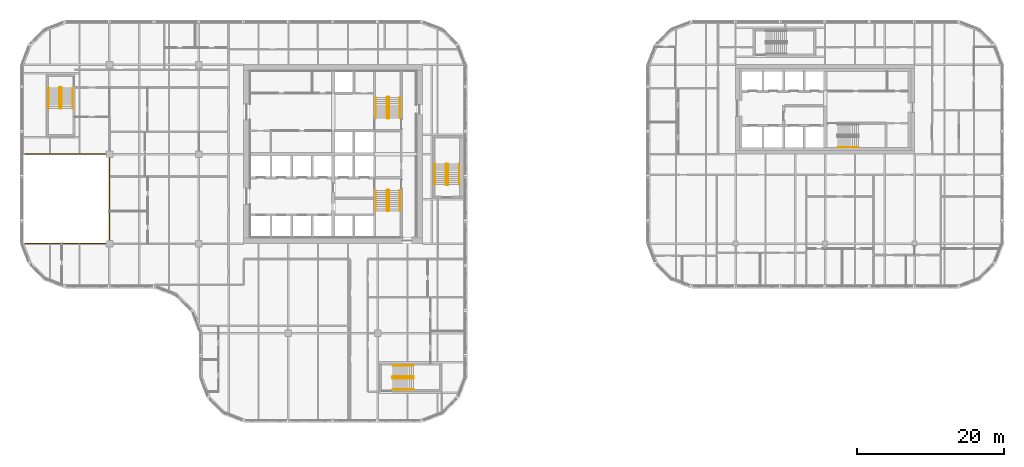
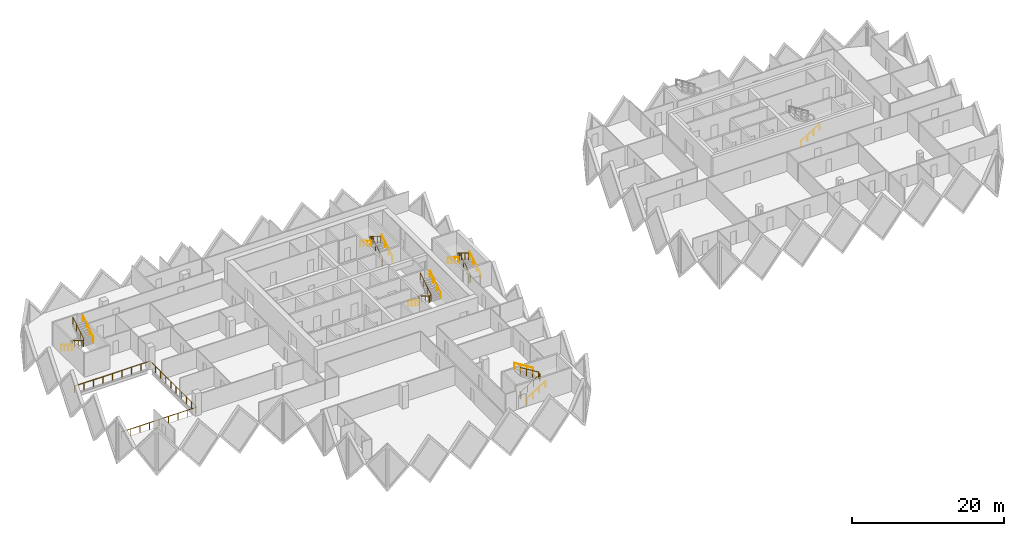
# One storey, part 18 of 19: 17 railings.
"""IFC4 building model written with IfcOpenShell, lengths in metres."""

from ifc_helpers import new_model, si_unit, direction, frame, origin, origin_2d, place, context, subcontext, project, spatial, circle, extrude, material, type_object, element, save


model = new_model("IFC4")

# Units and contexts
model_context = context("Model", 3, precision=1e-05, world=origin(), true_north=direction((0.0, 1.0)))
body_context = subcontext(model_context, "Body", "Model", "MODEL_VIEW")
ifc_project = project(units=[si_unit("LENGTHUNIT", "METRE"), si_unit("AREAUNIT", "SQUARE_METRE"), si_unit("VOLUMEUNIT", "CUBIC_METRE"), si_unit("PLANEANGLEUNIT", "RADIAN"), si_unit("MASSUNIT", "GRAM", prefix="KILO")], contexts=[model_context])

# Site, building, storey
site_placement = place(None, origin())
site = spatial("IfcSite", under=ifc_project, at=site_placement, CompositionType="ELEMENT")
building_placement = place(site_placement, origin())
building = spatial("IfcBuilding", under=site, at=building_placement, Name="Tessera Gate Towers", CompositionType="ELEMENT")
storey_placement = place(building_placement, frame((0.0, 0.0, 72.39990234375)))
storey = spatial("IfcBuildingStorey", under=building, at=storey_placement, Name="L17", CompositionType="ELEMENT", Elevation=72.39990234375)

# Railings
ifc_material_1 = material(Name="Toughened glass with stainless steel handrail", Category="steel")
railing_type_1 = type_object("IfcRailingType", Name="GUARD 1100 GLASS BALUSTRADE", PredefinedType="GUARDRAIL", material=ifc_material_1)
railing_1_placement = place(storey_placement, frame((0.750244140625, 24.39990234375, 0.0)))
element("IfcRailing", 1, at=railing_1_placement, inside=storey, type_object=railing_type_1, Name="Guard", PredefinedType="GUARDRAIL", context=body_context, shape_type="SweptSolid", body=[
    extrude(circle(Radius=0.02490234375, at=origin_2d()), frame((0.0, 0.0, 1.0751953125), z_axis=(1.0, 0.0, 0.0), x_axis=(0.0, 1.0, 0.0)), (0.0, 0.0, 1.0), 11.44970703125),
    extrude(circle(Radius=0.02490234375, at=origin_2d()), frame((11.44970703125, 0.0, 1.0751953125), z_axis=(0.0, 1.0, 0.0), x_axis=(-1.0, 0.0, 0.0)), (0.0, 0.0, 1.0), 12.2001953125),
    extrude(circle(Radius=0.02490234375, at=origin_2d()), frame((11.44970703125, 12.2001953125, 1.0751953125), z_axis=(-1.0, 0.0, 0.0), x_axis=(0.0, -1.0, 0.0)), (0.0, 0.0, 1.0), 11.5),
    extrude(circle(Radius=0.02490234375, at=origin_2d()), origin(), (0.0, 0.0, 1.0), 1.050048828125),
    extrude(circle(Radius=0.02490234375, at=origin_2d()), frame((1.43115234375, 0.0, 0.0)), (0.0, 0.0, 1.0), 1.050048828125),
    extrude(circle(Radius=0.02490234375, at=origin_2d()), frame((2.8623046875, 0.0, 0.0)), (0.0, 0.0, 1.0), 1.050048828125),
    extrude(circle(Radius=0.02490234375, at=origin_2d()), frame((4.293701171875, 0.0, 0.0)), (0.0, 0.0, 1.0), 1.050048828125),
    extrude(circle(Radius=0.02490234375, at=origin_2d()), frame((5.724853515625, 0.0, 0.0)), (0.0, 0.0, 1.0), 1.050048828125),
    extrude(circle(Radius=0.02490234375, at=origin_2d()), frame((7.156005859375, 0.0, 0.0)), (0.0, 0.0, 1.0), 1.050048828125),
    extrude(circle(Radius=0.02490234375, at=origin_2d()), frame((8.58740234375, 0.0, 0.0)), (0.0, 0.0, 1.0), 1.050048828125),
    extrude(circle(Radius=0.02490234375, at=origin_2d()), frame((10.0185546875, 0.0, 0.0)), (0.0, 0.0, 1.0), 1.050048828125),
    extrude(circle(Radius=0.02490234375, at=origin_2d()), frame((11.44970703125, 0.0, 0.0)), (0.0, 0.0, 1.0), 1.050048828125),
    extrude(circle(Radius=0.02490234375, at=origin_2d()), frame((11.44970703125, 1.35546875, 0.0)), (0.0, 0.0, 1.0), 1.050048828125),
    extrude(circle(Radius=0.02490234375, at=origin_2d()), frame((11.44970703125, 2.711181640625, 0.0)), (0.0, 0.0, 1.0), 1.050048828125),
    extrude(circle(Radius=0.02490234375, at=origin_2d()), frame((11.44970703125, 4.066650390625, 0.0)), (0.0, 0.0, 1.0), 1.050048828125),
    extrude(circle(Radius=0.02490234375, at=origin_2d()), frame((11.44970703125, 5.42236328125, 0.0)), (0.0, 0.0, 1.0), 1.050048828125),
    extrude(circle(Radius=0.02490234375, at=origin_2d()), frame((11.44970703125, 6.77783203125, 0.0)), (0.0, 0.0, 1.0), 1.050048828125),
    extrude(circle(Radius=0.02490234375, at=origin_2d()), frame((11.44970703125, 8.133544921875, 0.0)), (0.0, 0.0, 1.0), 1.050048828125),
    extrude(circle(Radius=0.02490234375, at=origin_2d()), frame((11.44970703125, 9.489013671875, 0.0)), (0.0, 0.0, 1.0), 1.050048828125),
    extrude(circle(Radius=0.02490234375, at=origin_2d()), frame((11.44970703125, 10.8447265625, 0.0)), (0.0, 0.0, 1.0), 1.050048828125),
    extrude(circle(Radius=0.02490234375, at=origin_2d()), frame((11.44970703125, 12.2001953125, 0.0)), (0.0, 0.0, 1.0), 1.050048828125),
    extrude(circle(Radius=0.02490234375, at=origin_2d()), frame((10.01220703125, 12.2001953125, 0.0)), (0.0, 0.0, 1.0), 1.050048828125),
    extrude(circle(Radius=0.02490234375, at=origin_2d()), frame((8.57470703125, 12.2001953125, 0.0)), (0.0, 0.0, 1.0), 1.050048828125),
    extrude(circle(Radius=0.02490234375, at=origin_2d()), frame((7.13720703125, 12.2001953125, 0.0)), (0.0, 0.0, 1.0), 1.050048828125),
    extrude(circle(Radius=0.02490234375, at=origin_2d()), frame((5.69970703125, 12.2001953125, 0.0)), (0.0, 0.0, 1.0), 1.050048828125),
    extrude(circle(Radius=0.02490234375, at=origin_2d()), frame((4.26220703125, 12.2001953125, 0.0)), (0.0, 0.0, 1.0), 1.050048828125),
    extrude(circle(Radius=0.02490234375, at=origin_2d()), frame((2.82470703125, 12.2001953125, 0.0)), (0.0, 0.0, 1.0), 1.050048828125),
    extrude(circle(Radius=0.02490234375, at=origin_2d()), frame((1.38720703125, 12.2001953125, 0.0)), (0.0, 0.0, 1.0), 1.050048828125),
    extrude(circle(Radius=0.02490234375, at=origin_2d()), frame((-0.05029296875, 12.2001953125, 0.0)), (0.0, 0.0, 1.0), 1.050048828125),
])
ifc_material_2 = material(Name="Steel 350W", Category="steel")
railing_type_2 = type_object("IfcRailingType", Name="STAIR GUARD 1100", PredefinedType="GUARDRAIL", material=ifc_material_2)
railing_2_placement = place(storey_placement, frame((50.27490234375, 31.72509765625, 0.0)))
element("IfcRailing", 2, at=railing_2_placement, inside=storey, type_object=railing_type_2, Name="L17 ST1 stair guard 1", PredefinedType="GUARDRAIL", context=body_context, shape_type="SweptSolid", body=[
    extrude(circle(Radius=0.02392578125, at=origin_2d()), frame((0.0, 0.0, 1.076171875), z_axis=(-1.0, 0.0, 0.0), x_axis=(0.0, -1.0, 0.0)), (0.0, 0.0, 1.0), 0.199951171875),
    extrude(circle(Radius=0.02392578125, at=origin_2d()), frame((-0.199951171875, 0.0, 1.076171875), z_axis=(-0.267953482034, -0.267953482034, 0.925419830635), x_axis=(0.707106781187, -0.707106781187, 0.0)), (0.0, 0.0, 1.0), 0.186767578125),
    extrude(circle(Radius=0.02392578125, at=origin_2d()), frame((-0.25, -0.050048828125, 1.2490234375), z_axis=(0.0, -0.851089632645, 0.525020415988), x_axis=(1.0, 0.0, 0.0)), (0.0, 0.0, 1.0), 3.2900390625),
    extrude(circle(Radius=0.02392578125, at=origin_2d()), frame((-0.25, -2.85009765625, 2.97607421875), z_axis=(0.707106781187, -0.707106781187, 0.0), x_axis=(0.707106781187, 0.707106781187, 0.0)), (0.0, 0.0, 1.0), 0.07080078125),
    extrude(circle(Radius=0.02392578125, at=origin_2d()), frame((-0.199951171875, -2.900146484375, 2.97607421875), z_axis=(1.0, 0.0, 0.0), x_axis=(0.0, 1.0, 0.0)), (0.0, 0.0, 1.0), 0.199951171875),
    extrude(circle(Radius=0.02392578125, at=origin_2d()), frame((0.0, -2.900146484375, 2.97607421875), z_axis=(0.268277960024, 0.268277960024, 0.925231793839), x_axis=(-0.707106781187, 0.707106781187, 0.0)), (0.0, 0.0, 1.0), 0.1865234375),
    extrude(circle(Radius=0.02392578125, at=origin_2d()), frame((0.050048828125, -2.85009765625, 3.14892578125), z_axis=(0.0, 0.851089632645, 0.525020415988), x_axis=(-1.0, 0.0, 0.0)), (0.0, 0.0, 1.0), 3.2900390625),
    extrude(circle(Radius=0.02099609375, at=origin_2d()), origin(), (0.0, 0.0, 1.0), 1.052001953125),
    extrude(circle(Radius=0.02099609375, at=origin_2d()), frame((-0.199951171875, 0.0, 0.0)), (0.0, 0.0, 1.0), 1.052001953125),
    extrude(circle(Radius=0.02099609375, at=origin_2d()), frame((-0.25, -0.050048828125, 0.1728515625)), (0.0, 0.0, 1.0), 1.052001953125),
    extrude(circle(Radius=0.02099609375, at=origin_2d()), frame((-0.25, -0.9833984375, 0.74853515625)), (0.0, 0.0, 1.0), 1.052001953125),
    extrude(circle(Radius=0.02099609375, at=origin_2d()), frame((-0.25, -1.916748046875, 1.324462890625)), (0.0, 0.0, 1.0), 1.052001953125),
    extrude(circle(Radius=0.02099609375, at=origin_2d()), frame((-0.25, -2.85009765625, 1.900146484375)), (0.0, 0.0, 1.0), 1.052001953125),
    extrude(circle(Radius=0.02099609375, at=origin_2d()), frame((-0.199951171875, -2.900146484375, 1.900146484375)), (0.0, 0.0, 1.0), 1.052001953125),
    extrude(circle(Radius=0.02099609375, at=origin_2d()), frame((0.0, -2.900146484375, 1.900146484375)), (0.0, 0.0, 1.0), 1.052001953125),
    extrude(circle(Radius=0.02099609375, at=origin_2d()), frame((0.050048828125, -2.85009765625, 2.07275390625)), (0.0, 0.0, 1.0), 1.052001953125),
    extrude(circle(Radius=0.02099609375, at=origin_2d()), frame((0.050048828125, -1.916748046875, 2.6484375)), (0.0, 0.0, 1.0), 1.052001953125),
    extrude(circle(Radius=0.02099609375, at=origin_2d()), frame((0.050048828125, -0.9833984375, 3.224365234375)), (0.0, 0.0, 1.0), 1.052001953125),
    extrude(circle(Radius=0.02099609375, at=origin_2d()), frame((0.050048828125, -0.050048828125, 3.800048828125)), (0.0, 0.0, 1.0), 1.052001953125),
])
railing_3_placement = place(storey_placement, frame((50.074951171875, 41.47509765625, 0.0)))
element("IfcRailing", 3, at=railing_3_placement, inside=storey, type_object=railing_type_2, Name="L17 ST2 stair guard 1", PredefinedType="GUARDRAIL", context=body_context, shape_type="SweptSolid", body=[
    extrude(circle(Radius=0.02392578125, at=origin_2d()), frame((0.0, 0.0, 1.076171875), z_axis=(1.0, 0.0, 0.0), x_axis=(0.0, 1.0, 0.0)), (0.0, 0.0, 1.0), 0.199951171875),
    extrude(circle(Radius=0.02392578125, at=origin_2d()), frame((0.199951171875, 0.0, 1.076171875), z_axis=(0.268047150085, 0.266739603011, 0.925743328097), x_axis=(-0.705375805398, 0.708833529934, 0.0)), (0.0, 0.0, 1.0), 0.186767578125),
    extrude(circle(Radius=0.02392578125, at=origin_2d()), frame((0.25, 0.0498046875, 1.2490234375), z_axis=(0.0, 0.851089632645, 0.525020415988), x_axis=(-1.0, 0.0, 0.0)), (0.0, 0.0, 1.0), 3.2900390625),
    extrude(circle(Radius=0.02392578125, at=origin_2d()), frame((0.25, 2.849853515625, 2.97607421875), z_axis=(-0.707106781187, 0.707106781187, 0.0), x_axis=(-0.707106781187, -0.707106781187, 0.0)), (0.0, 0.0, 1.0), 0.07080078125),
    extrude(circle(Radius=0.02392578125, at=origin_2d()), frame((0.199951171875, 2.89990234375, 2.97607421875), z_axis=(-1.0, 0.0, 0.0), x_axis=(0.0, -1.0, 0.0)), (0.0, 0.0, 1.0), 0.199951171875),
    extrude(circle(Radius=0.02392578125, at=origin_2d()), frame((0.0, 2.89990234375, 2.97607421875), z_axis=(-0.268277960024, -0.268277960024, 0.925231793839), x_axis=(0.707106781187, -0.707106781187, 0.0)), (0.0, 0.0, 1.0), 0.1865234375),
    extrude(circle(Radius=0.02392578125, at=origin_2d()), frame((-0.050048828125, 2.849853515625, 3.14892578125), z_axis=(0.0, -0.851089632645, 0.525020415988), x_axis=(1.0, 0.0, 0.0)), (0.0, 0.0, 1.0), 3.2900390625),
    extrude(circle(Radius=0.02099609375, at=origin_2d()), origin(), (0.0, 0.0, 1.0), 1.052001953125),
    extrude(circle(Radius=0.02099609375, at=origin_2d()), frame((0.199951171875, 0.0, 0.0)), (0.0, 0.0, 1.0), 1.052001953125),
    extrude(circle(Radius=0.02099609375, at=origin_2d()), frame((0.25, 0.0498046875, 0.1728515625)), (0.0, 0.0, 1.0), 1.052001953125),
    extrude(circle(Radius=0.02099609375, at=origin_2d()), frame((0.25, 0.983154296875, 0.74853515625)), (0.0, 0.0, 1.0), 1.052001953125),
    extrude(circle(Radius=0.02099609375, at=origin_2d()), frame((0.25, 1.91650390625, 1.324462890625)), (0.0, 0.0, 1.0), 1.052001953125),
    extrude(circle(Radius=0.02099609375, at=origin_2d()), frame((0.25, 2.849853515625, 1.900146484375)), (0.0, 0.0, 1.0), 1.052001953125),
    extrude(circle(Radius=0.02099609375, at=origin_2d()), frame((0.199951171875, 2.89990234375, 1.900146484375)), (0.0, 0.0, 1.0), 1.052001953125),
    extrude(circle(Radius=0.02099609375, at=origin_2d()), frame((0.0, 2.89990234375, 1.900146484375)), (0.0, 0.0, 1.0), 1.052001953125),
    extrude(circle(Radius=0.02099609375, at=origin_2d()), frame((-0.050048828125, 2.849853515625, 2.07275390625)), (0.0, 0.0, 1.0), 1.052001953125),
    extrude(circle(Radius=0.02099609375, at=origin_2d()), frame((-0.050048828125, 1.91650390625, 2.6484375)), (0.0, 0.0, 1.0), 1.052001953125),
    extrude(circle(Radius=0.02099609375, at=origin_2d()), frame((-0.050048828125, 0.983154296875, 3.224365234375)), (0.0, 0.0, 1.0), 1.052001953125),
    extrude(circle(Radius=0.02099609375, at=origin_2d()), frame((-0.050048828125, 0.0498046875, 3.800048828125)), (0.0, 0.0, 1.0), 1.052001953125),
])
railing_4_placement = place(storey_placement, frame((5.64990234375, 45.699951171875, 0.0)))
element("IfcRailing", 4, at=railing_4_placement, inside=storey, type_object=railing_type_2, Name="L17 ST3 stair guard 1", PredefinedType="GUARDRAIL", context=body_context, shape_type="SweptSolid", body=[
    extrude(circle(Radius=0.02392578125, at=origin_2d()), frame((0.0, 0.0, 1.076171875), z_axis=(-1.0, 0.0, 0.0), x_axis=(0.0, -1.0, 0.0)), (0.0, 0.0, 1.0), 0.199951171875),
    extrude(circle(Radius=0.02392578125, at=origin_2d()), frame((-0.199951171875, 0.0, 1.076171875), z_axis=(-0.267953482034, -0.267953482034, 0.925419830635), x_axis=(0.707106781187, -0.707106781187, 0.0)), (0.0, 0.0, 1.0), 0.186767578125),
    extrude(circle(Radius=0.02392578125, at=origin_2d()), frame((-0.25, -0.050048828125, 1.2490234375), z_axis=(0.0, -0.851069175582, 0.525053576669), x_axis=(1.0, 0.0, 0.0)), (0.0, 0.0, 1.0), 3.289794921875),
    extrude(circle(Radius=0.02392578125, at=origin_2d()), frame((-0.25, -2.849853515625, 2.97607421875), z_axis=(0.707106781187, -0.707106781187, 0.0), x_axis=(0.707106781187, 0.707106781187, 0.0)), (0.0, 0.0, 1.0), 0.07080078125),
    extrude(circle(Radius=0.02392578125, at=origin_2d()), frame((-0.199951171875, -2.89990234375, 2.97607421875), z_axis=(1.0, 0.0, 0.0), x_axis=(0.0, 1.0, 0.0)), (0.0, 0.0, 1.0), 0.199951171875),
    extrude(circle(Radius=0.02392578125, at=origin_2d()), frame((0.0, -2.89990234375, 2.97607421875), z_axis=(0.268277960024, 0.268277960024, 0.925231793839), x_axis=(-0.707106781187, 0.707106781187, 0.0)), (0.0, 0.0, 1.0), 0.1865234375),
    extrude(circle(Radius=0.02392578125, at=origin_2d()), frame((0.050048828125, -2.849853515625, 3.14892578125), z_axis=(0.0, 0.851069175582, 0.525053576669), x_axis=(-1.0, 0.0, 0.0)), (0.0, 0.0, 1.0), 3.289794921875),
    extrude(circle(Radius=0.02099609375, at=origin_2d()), origin(), (0.0, 0.0, 1.0), 1.052001953125),
    extrude(circle(Radius=0.02099609375, at=origin_2d()), frame((-0.199951171875, 0.0, 0.0)), (0.0, 0.0, 1.0), 1.052001953125),
    extrude(circle(Radius=0.02099609375, at=origin_2d()), frame((-0.25, -0.050048828125, 0.1728515625)), (0.0, 0.0, 1.0), 1.052001953125),
    extrude(circle(Radius=0.02099609375, at=origin_2d()), frame((-0.25, -0.9833984375, 0.74853515625)), (0.0, 0.0, 1.0), 1.052001953125),
    extrude(circle(Radius=0.02099609375, at=origin_2d()), frame((-0.25, -1.91650390625, 1.324462890625)), (0.0, 0.0, 1.0), 1.052001953125),
    extrude(circle(Radius=0.02099609375, at=origin_2d()), frame((-0.25, -2.849853515625, 1.900146484375)), (0.0, 0.0, 1.0), 1.052001953125),
    extrude(circle(Radius=0.02099609375, at=origin_2d()), frame((-0.199951171875, -2.89990234375, 1.900146484375)), (0.0, 0.0, 1.0), 1.052001953125),
    extrude(circle(Radius=0.02099609375, at=origin_2d()), frame((0.0, -2.89990234375, 1.900146484375)), (0.0, 0.0, 1.0), 1.052001953125),
    extrude(circle(Radius=0.02099609375, at=origin_2d()), frame((0.050048828125, -2.849853515625, 2.07275390625)), (0.0, 0.0, 1.0), 1.052001953125),
    extrude(circle(Radius=0.02099609375, at=origin_2d()), frame((0.050048828125, -1.91650390625, 2.6484375)), (0.0, 0.0, 1.0), 1.052001953125),
    extrude(circle(Radius=0.02099609375, at=origin_2d()), frame((0.050048828125, -0.9833984375, 3.224365234375)), (0.0, 0.0, 1.0), 1.052001953125),
    extrude(circle(Radius=0.02099609375, at=origin_2d()), frame((0.050048828125, -0.050048828125, 3.800048828125)), (0.0, 0.0, 1.0), 1.052001953125),
])
railing_5_placement = place(storey_placement, frame((50.800048828125, 6.25, 0.0)))
element("IfcRailing", 5, at=railing_5_placement, inside=storey, type_object=railing_type_2, Name="L17 ST4 stair guard 1", PredefinedType="GUARDRAIL", context=body_context, shape_type="SweptSolid", body=[
    extrude(circle(Radius=0.02392578125, at=origin_2d()), frame((0.0, 0.0, 1.076171875), z_axis=(0.0, -1.0, 0.0), x_axis=(1.0, 0.0, 0.0)), (0.0, 0.0, 1.0), 0.199951171875),
    extrude(circle(Radius=0.02392578125, at=origin_2d()), frame((0.0, -0.199951171875, 1.076171875), z_axis=(0.267953482034, -0.267953482034, 0.925419830635), x_axis=(0.707106781187, 0.707106781187, 0.0)), (0.0, 0.0, 1.0), 0.186767578125),
    extrude(circle(Radius=0.02392578125, at=origin_2d()), frame((0.050048828125, -0.25, 1.2490234375), z_axis=(0.851069175582, 0.0, 0.525053576669), x_axis=(0.0, 1.0, 0.0)), (0.0, 0.0, 1.0), 3.289794921875),
    extrude(circle(Radius=0.02392578125, at=origin_2d()), frame((2.849853515625, -0.25, 2.97607421875), z_axis=(0.707106781187, 0.707106781187, 0.0), x_axis=(-0.707106781187, 0.707106781187, 0.0)), (0.0, 0.0, 1.0), 0.07080078125),
    extrude(circle(Radius=0.02392578125, at=origin_2d()), frame((2.89990234375, -0.199951171875, 2.97607421875), z_axis=(0.0, 1.0, 0.0), x_axis=(-1.0, 0.0, 0.0)), (0.0, 0.0, 1.0), 0.199951171875),
    extrude(circle(Radius=0.02392578125, at=origin_2d()), frame((2.89990234375, 0.0, 2.97607421875), z_axis=(-0.268277960024, 0.268277960024, 0.925231793839), x_axis=(-0.707106781187, -0.707106781187, 0.0)), (0.0, 0.0, 1.0), 0.1865234375),
    extrude(circle(Radius=0.02392578125, at=origin_2d()), frame((2.849853515625, 0.050048828125, 3.14892578125), z_axis=(-0.851069175582, 0.0, 0.525053576669), x_axis=(0.0, -1.0, 0.0)), (0.0, 0.0, 1.0), 3.289794921875),
    extrude(circle(Radius=0.02099609375, at=origin_2d()), origin(), (0.0, 0.0, 1.0), 1.052001953125),
    extrude(circle(Radius=0.02099609375, at=origin_2d()), frame((0.0, -0.199951171875, 0.0)), (0.0, 0.0, 1.0), 1.052001953125),
    extrude(circle(Radius=0.02099609375, at=origin_2d()), frame((0.050048828125, -0.25, 0.1728515625)), (0.0, 0.0, 1.0), 1.052001953125),
    extrude(circle(Radius=0.02099609375, at=origin_2d()), frame((0.9833984375, -0.25, 0.74853515625)), (0.0, 0.0, 1.0), 1.052001953125),
    extrude(circle(Radius=0.02099609375, at=origin_2d()), frame((1.91650390625, -0.25, 1.324462890625)), (0.0, 0.0, 1.0), 1.052001953125),
    extrude(circle(Radius=0.02099609375, at=origin_2d()), frame((2.849853515625, -0.25, 1.900146484375)), (0.0, 0.0, 1.0), 1.052001953125),
    extrude(circle(Radius=0.02099609375, at=origin_2d()), frame((2.89990234375, -0.199951171875, 1.900146484375)), (0.0, 0.0, 1.0), 1.052001953125),
    extrude(circle(Radius=0.02099609375, at=origin_2d()), frame((2.89990234375, 0.0, 1.900146484375)), (0.0, 0.0, 1.0), 1.052001953125),
    extrude(circle(Radius=0.02099609375, at=origin_2d()), frame((2.849853515625, 0.050048828125, 2.07275390625)), (0.0, 0.0, 1.0), 1.052001953125),
    extrude(circle(Radius=0.02099609375, at=origin_2d()), frame((1.91650390625, 0.050048828125, 2.6484375)), (0.0, 0.0, 1.0), 1.052001953125),
    extrude(circle(Radius=0.02099609375, at=origin_2d()), frame((0.9833984375, 0.050048828125, 3.224365234375)), (0.0, 0.0, 1.0), 1.052001953125),
    extrude(circle(Radius=0.02099609375, at=origin_2d()), frame((0.050048828125, 0.050048828125, 3.800048828125)), (0.0, 0.0, 1.0), 1.052001953125),
])
railing_6_placement = place(storey_placement, frame((58.14990234375, 32.39990234375, 0.0)))
element("IfcRailing", 6, at=railing_6_placement, inside=storey, type_object=railing_type_2, Name="L17 ST5 stair guard 1", PredefinedType="GUARDRAIL", context=body_context, shape_type="SweptSolid", body=[
    extrude(circle(Radius=0.02392578125, at=origin_2d()), frame((0.0, 0.0, 1.076171875), z_axis=(1.0, 0.0, 0.0), x_axis=(0.0, 1.0, 0.0)), (0.0, 0.0, 1.0), 0.2001953125),
    extrude(circle(Radius=0.02392578125, at=origin_2d()), frame((0.2001953125, 0.0, 1.076171875), z_axis=(0.266739603011, 0.268047150085, 0.925743328097), x_axis=(-0.708833529934, 0.705375805398, 0.0)), (0.0, 0.0, 1.0), 0.186767578125),
    extrude(circle(Radius=0.02392578125, at=origin_2d()), frame((0.25, 0.050048828125, 1.2490234375), z_axis=(0.0, 0.851089632645, 0.525020415988), x_axis=(-1.0, 0.0, 0.0)), (0.0, 0.0, 1.0), 3.2900390625),
    extrude(circle(Radius=0.02392578125, at=origin_2d()), frame((0.25, 2.85009765625, 2.97607421875), z_axis=(-0.705375805398, 0.708833529934, 0.0), x_axis=(-0.708833529934, -0.705375805398, 0.0)), (0.0, 0.0, 1.0), 0.070556640625),
    extrude(circle(Radius=0.02392578125, at=origin_2d()), frame((0.2001953125, 2.900146484375, 2.97607421875), z_axis=(-1.0, 0.0, 0.0), x_axis=(0.0, -1.0, 0.0)), (0.0, 0.0, 1.0), 0.2001953125),
    extrude(circle(Radius=0.02392578125, at=origin_2d()), frame((0.0, 2.900146484375, 2.97607421875), z_axis=(-0.267062837333, -0.268371968888, 0.925556009775), x_axis=(0.708833529934, -0.705375805398, 0.0)), (0.0, 0.0, 1.0), 0.1865234375),
    extrude(circle(Radius=0.02392578125, at=origin_2d()), frame((-0.0498046875, 2.85009765625, 3.14892578125), z_axis=(0.0, -0.851089632645, 0.525020415988), x_axis=(1.0, 0.0, 0.0)), (0.0, 0.0, 1.0), 3.2900390625),
    extrude(circle(Radius=0.02099609375, at=origin_2d()), origin(), (0.0, 0.0, 1.0), 1.052001953125),
    extrude(circle(Radius=0.02099609375, at=origin_2d()), frame((0.2001953125, 0.0, 0.0)), (0.0, 0.0, 1.0), 1.052001953125),
    extrude(circle(Radius=0.02099609375, at=origin_2d()), frame((0.25, 0.050048828125, 0.1728515625)), (0.0, 0.0, 1.0), 1.052001953125),
    extrude(circle(Radius=0.02099609375, at=origin_2d()), frame((0.25, 0.9833984375, 0.74853515625)), (0.0, 0.0, 1.0), 1.052001953125),
    extrude(circle(Radius=0.02099609375, at=origin_2d()), frame((0.25, 1.916748046875, 1.324462890625)), (0.0, 0.0, 1.0), 1.052001953125),
    extrude(circle(Radius=0.02099609375, at=origin_2d()), frame((0.25, 2.85009765625, 1.900146484375)), (0.0, 0.0, 1.0), 1.052001953125),
    extrude(circle(Radius=0.02099609375, at=origin_2d()), frame((0.2001953125, 2.900146484375, 1.900146484375)), (0.0, 0.0, 1.0), 1.052001953125),
    extrude(circle(Radius=0.02099609375, at=origin_2d()), frame((0.0, 2.900146484375, 1.900146484375)), (0.0, 0.0, 1.0), 1.052001953125),
    extrude(circle(Radius=0.02099609375, at=origin_2d()), frame((-0.0498046875, 2.85009765625, 2.07275390625)), (0.0, 0.0, 1.0), 1.052001953125),
    extrude(circle(Radius=0.02099609375, at=origin_2d()), frame((-0.0498046875, 1.916748046875, 2.6484375)), (0.0, 0.0, 1.0), 1.052001953125),
    extrude(circle(Radius=0.02099609375, at=origin_2d()), frame((-0.0498046875, 0.9833984375, 3.224365234375)), (0.0, 0.0, 1.0), 1.052001953125),
    extrude(circle(Radius=0.02099609375, at=origin_2d()), frame((-0.0498046875, 0.050048828125, 3.800048828125)), (0.0, 0.0, 1.0), 1.052001953125),
])
ifc_material_3 = material(Name="Steel 350W", Category="steel")
railing_type_3 = type_object("IfcRailingType", Name="STAIR HANDRAIL 900", PredefinedType="HANDRAIL", material=ifc_material_3)
railing_7_placement = place(storey_placement, frame((48.52490234375, 31.675048828125, 0.1728515625)))
element("IfcRailing", 7, at=railing_7_placement, inside=storey, type_object=railing_type_3, Name="L17 ST1 stair handrail 1", PredefinedType="HANDRAIL", context=body_context, shape_type="SweptSolid", body=[
    extrude(circle(Radius=0.02392578125, at=origin_2d()), frame((0.0, 0.0, 0.8759765625), z_axis=(0.0, -0.851089632645, 0.525020415988), x_axis=(1.0, 0.0, 0.0)), (0.0, 0.0, 1.0), 3.2900390625),
    extrude(circle(Radius=0.02099609375, at=origin_2d()), origin(), (0.0, 0.0, 1.0), 0.851806640625),
    extrude(circle(Radius=0.02099609375, at=origin_2d()), frame((0.0, -0.933349609375, 0.57568359375)), (0.0, 0.0, 1.0), 0.851806640625),
    extrude(circle(Radius=0.02099609375, at=origin_2d()), frame((0.0, -1.86669921875, 1.151611328125)), (0.0, 0.0, 1.0), 0.851806640625),
    extrude(circle(Radius=0.02099609375, at=origin_2d()), frame((0.0, -2.800048828125, 1.727294921875)), (0.0, 0.0, 1.0), 0.851806640625),
])
for number, where, name in (
    (8, (51.824951171875, 28.875, 2.07275390625), "L17 ST1 stair handrail 2"),
    (9, (51.824951171875, 41.52490234375, 0.1728515625), "L17 ST2 stair handrail 1"),
):
    element("IfcRailing", number, at=place(storey_placement, frame(where)), inside=storey, type_object=railing_type_3, Name=name, PredefinedType="HANDRAIL", context=body_context, shape_type="SweptSolid", body=[
        extrude(circle(Radius=0.02392578125, at=origin_2d()), frame((0.0, 0.0, 0.8759765625), z_axis=(0.0, 0.851089632645, 0.525020415988), x_axis=(-1.0, 0.0, 0.0)), (0.0, 0.0, 1.0), 3.2900390625),
        extrude(circle(Radius=0.02099609375, at=origin_2d()), origin(), (0.0, 0.0, 1.0), 0.851806640625),
        extrude(circle(Radius=0.02099609375, at=origin_2d()), frame((0.0, 0.933349609375, 0.57568359375)), (0.0, 0.0, 1.0), 0.851806640625),
        extrude(circle(Radius=0.02099609375, at=origin_2d()), frame((0.0, 1.86669921875, 1.151611328125)), (0.0, 0.0, 1.0), 0.851806640625),
        extrude(circle(Radius=0.02099609375, at=origin_2d()), frame((0.0, 2.800048828125, 1.727294921875)), (0.0, 0.0, 1.0), 0.851806640625),
    ])
railing_8_placement = place(storey_placement, frame((48.52490234375, 44.324951171875, 2.07275390625)))
element("IfcRailing", 10, at=railing_8_placement, inside=storey, type_object=railing_type_3, Name="L17 ST2 stair handrail 2", PredefinedType="HANDRAIL", context=body_context, shape_type="SweptSolid", body=[
    extrude(circle(Radius=0.02392578125, at=origin_2d()), frame((0.0, 0.0, 0.8759765625), z_axis=(0.0, -0.851089632645, 0.525020415988), x_axis=(1.0, 0.0, 0.0)), (0.0, 0.0, 1.0), 3.2900390625),
    extrude(circle(Radius=0.02099609375, at=origin_2d()), origin(), (0.0, 0.0, 1.0), 0.851806640625),
    extrude(circle(Radius=0.02099609375, at=origin_2d()), frame((0.0, -0.933349609375, 0.57568359375)), (0.0, 0.0, 1.0), 0.851806640625),
    extrude(circle(Radius=0.02099609375, at=origin_2d()), frame((0.0, -1.86669921875, 1.151611328125)), (0.0, 0.0, 1.0), 0.851806640625),
    extrude(circle(Radius=0.02099609375, at=origin_2d()), frame((0.0, -2.800048828125, 1.727294921875)), (0.0, 0.0, 1.0), 0.851806640625),
])
railing_9_placement = place(storey_placement, frame((3.89990234375, 45.64990234375, 0.1728515625)))
element("IfcRailing", 11, at=railing_9_placement, inside=storey, type_object=railing_type_3, Name="L17 ST3 stair handrail 1", PredefinedType="HANDRAIL", context=body_context, shape_type="SweptSolid", body=[
    extrude(circle(Radius=0.02392578125, at=origin_2d()), frame((0.0, 0.0, 0.8759765625), z_axis=(0.0, -0.851069175582, 0.525053576669), x_axis=(1.0, 0.0, 0.0)), (0.0, 0.0, 1.0), 3.289794921875),
    extrude(circle(Radius=0.02099609375, at=origin_2d()), origin(), (0.0, 0.0, 1.0), 0.851806640625),
    extrude(circle(Radius=0.02099609375, at=origin_2d()), frame((0.0, -0.933349609375, 0.57568359375)), (0.0, 0.0, 1.0), 0.851806640625),
    extrude(circle(Radius=0.02099609375, at=origin_2d()), frame((0.0, -1.866455078125, 1.151611328125)), (0.0, 0.0, 1.0), 0.851806640625),
    extrude(circle(Radius=0.02099609375, at=origin_2d()), frame((0.0, -2.7998046875, 1.727294921875)), (0.0, 0.0, 1.0), 0.851806640625),
])
railing_10_placement = place(storey_placement, frame((7.199951171875, 42.85009765625, 2.07275390625)))
element("IfcRailing", 12, at=railing_10_placement, inside=storey, type_object=railing_type_3, Name="L17 ST3 stair handrail 2", PredefinedType="HANDRAIL", context=body_context, shape_type="SweptSolid", body=[
    extrude(circle(Radius=0.02392578125, at=origin_2d()), frame((0.0, 0.0, 0.8759765625), z_axis=(0.0, 0.851069175582, 0.525053576669), x_axis=(-1.0, 0.0, 0.0)), (0.0, 0.0, 1.0), 3.289794921875),
    extrude(circle(Radius=0.02099609375, at=origin_2d()), origin(), (0.0, 0.0, 1.0), 0.851806640625),
    extrude(circle(Radius=0.02099609375, at=origin_2d()), frame((0.0, 0.933349609375, 0.57568359375)), (0.0, 0.0, 1.0), 0.851806640625),
    extrude(circle(Radius=0.02099609375, at=origin_2d()), frame((0.0, 1.866455078125, 1.151611328125)), (0.0, 0.0, 1.0), 0.851806640625),
    extrude(circle(Radius=0.02099609375, at=origin_2d()), frame((0.0, 2.7998046875, 1.727294921875)), (0.0, 0.0, 1.0), 0.851806640625),
])
railing_11_placement = place(storey_placement, frame((50.85009765625, 4.5, 0.1728515625)))
element("IfcRailing", 13, at=railing_11_placement, inside=storey, type_object=railing_type_3, Name="L17 ST4 stair handrail 1", PredefinedType="HANDRAIL", context=body_context, shape_type="SweptSolid", body=[
    extrude(circle(Radius=0.02392578125, at=origin_2d()), frame((0.0, 0.0, 0.8759765625), z_axis=(0.851069175582, 0.0, 0.525053576669), x_axis=(0.0, 1.0, 0.0)), (0.0, 0.0, 1.0), 3.289794921875),
    extrude(circle(Radius=0.02099609375, at=origin_2d()), origin(), (0.0, 0.0, 1.0), 0.851806640625),
    extrude(circle(Radius=0.02099609375, at=origin_2d()), frame((0.933349609375, 0.0, 0.57568359375)), (0.0, 0.0, 1.0), 0.851806640625),
    extrude(circle(Radius=0.02099609375, at=origin_2d()), frame((1.866455078125, 0.0, 1.151611328125)), (0.0, 0.0, 1.0), 0.851806640625),
    extrude(circle(Radius=0.02099609375, at=origin_2d()), frame((2.7998046875, 0.0, 1.727294921875)), (0.0, 0.0, 1.0), 0.851806640625),
])
railing_12_placement = place(storey_placement, frame((53.64990234375, 7.800048828125, 2.07275390625)))
element("IfcRailing", 14, at=railing_12_placement, inside=storey, type_object=railing_type_3, Name="L17 ST4 stair handrail 2", PredefinedType="HANDRAIL", context=body_context, shape_type="SweptSolid", body=[
    extrude(circle(Radius=0.02392578125, at=origin_2d()), frame((0.0, 0.0, 0.8759765625), z_axis=(-0.851069175582, 0.0, 0.525053576669), x_axis=(0.0, -1.0, 0.0)), (0.0, 0.0, 1.0), 3.289794921875),
    extrude(circle(Radius=0.02099609375, at=origin_2d()), origin(), (0.0, 0.0, 1.0), 0.851806640625),
    extrude(circle(Radius=0.02099609375, at=origin_2d()), frame((-0.933349609375, 0.0, 0.57568359375)), (0.0, 0.0, 1.0), 0.851806640625),
    extrude(circle(Radius=0.02099609375, at=origin_2d()), frame((-1.866455078125, 0.0, 1.151611328125)), (0.0, 0.0, 1.0), 0.851806640625),
    extrude(circle(Radius=0.02099609375, at=origin_2d()), frame((-2.7998046875, 0.0, 1.727294921875)), (0.0, 0.0, 1.0), 0.851806640625),
])
railing_13_placement = place(storey_placement, frame((59.89990234375, 32.449951171875, 0.1728515625)))
element("IfcRailing", 15, at=railing_13_placement, inside=storey, type_object=railing_type_3, Name="L17 ST5 stair handrail 1", PredefinedType="HANDRAIL", context=body_context, shape_type="SweptSolid", body=[
    extrude(circle(Radius=0.02392578125, at=origin_2d()), frame((0.0, 0.0, 0.8759765625), z_axis=(0.0, 0.851089632645, 0.525020415988), x_axis=(-1.0, 0.0, 0.0)), (0.0, 0.0, 1.0), 3.2900390625),
    extrude(circle(Radius=0.02099609375, at=origin_2d()), origin(), (0.0, 0.0, 1.0), 0.851806640625),
    extrude(circle(Radius=0.02099609375, at=origin_2d()), frame((0.0, 0.933349609375, 0.57568359375)), (0.0, 0.0, 1.0), 0.851806640625),
    extrude(circle(Radius=0.02099609375, at=origin_2d()), frame((0.0, 1.86669921875, 1.151611328125)), (0.0, 0.0, 1.0), 0.851806640625),
    extrude(circle(Radius=0.02099609375, at=origin_2d()), frame((0.0, 2.800048828125, 1.727294921875)), (0.0, 0.0, 1.0), 0.851806640625),
])
railing_14_placement = place(storey_placement, frame((56.60009765625, 35.25, 2.07275390625)))
element("IfcRailing", 16, at=railing_14_placement, inside=storey, type_object=railing_type_3, Name="L17 ST5 stair handrail 2", PredefinedType="HANDRAIL", context=body_context, shape_type="SweptSolid", body=[
    extrude(circle(Radius=0.02392578125, at=origin_2d()), frame((0.0, 0.0, 0.8759765625), z_axis=(0.0, -0.851089632645, 0.525020415988), x_axis=(1.0, 0.0, 0.0)), (0.0, 0.0, 1.0), 3.2900390625),
    extrude(circle(Radius=0.02099609375, at=origin_2d()), origin(), (0.0, 0.0, 1.0), 0.851806640625),
    extrude(circle(Radius=0.02099609375, at=origin_2d()), frame((0.0, -0.933349609375, 0.57568359375)), (0.0, 0.0, 1.0), 0.851806640625),
    extrude(circle(Radius=0.02099609375, at=origin_2d()), frame((0.0, -1.86669921875, 1.151611328125)), (0.0, 0.0, 1.0), 0.851806640625),
    extrude(circle(Radius=0.02099609375, at=origin_2d()), frame((0.0, -2.800048828125, 1.727294921875)), (0.0, 0.0, 1.0), 0.851806640625),
])
railing_15_placement = place(storey_placement, frame((111.550048828125, 37.550048828125, 0.1728515625)))
element("IfcRailing", 17, at=railing_15_placement, inside=storey, type_object=railing_type_3, Name="L17 ST6 stair handrail 1", PredefinedType="HANDRAIL", context=body_context, shape_type="SweptSolid", body=[
    extrude(circle(Radius=0.02392578125, at=origin_2d()), frame((0.0, 0.0, 0.8759765625), z_axis=(0.851089632645, 0.0, 0.525020415988), x_axis=(0.0, 1.0, 0.0)), (0.0, 0.0, 1.0), 3.2900390625),
    extrude(circle(Radius=0.02099609375, at=origin_2d()), origin(), (0.0, 0.0, 1.0), 0.851806640625),
    extrude(circle(Radius=0.02099609375, at=origin_2d()), frame((0.933349609375, 0.0, 0.57568359375)), (0.0, 0.0, 1.0), 0.851806640625),
    extrude(circle(Radius=0.02099609375, at=origin_2d()), frame((1.86669921875, 0.0, 1.151611328125)), (0.0, 0.0, 1.0), 0.851806640625),
    extrude(circle(Radius=0.02099609375, at=origin_2d()), frame((2.800048828125, 0.0, 1.727294921875)), (0.0, 0.0, 1.0), 0.851806640625),
])

save(model, "model.ifc")
